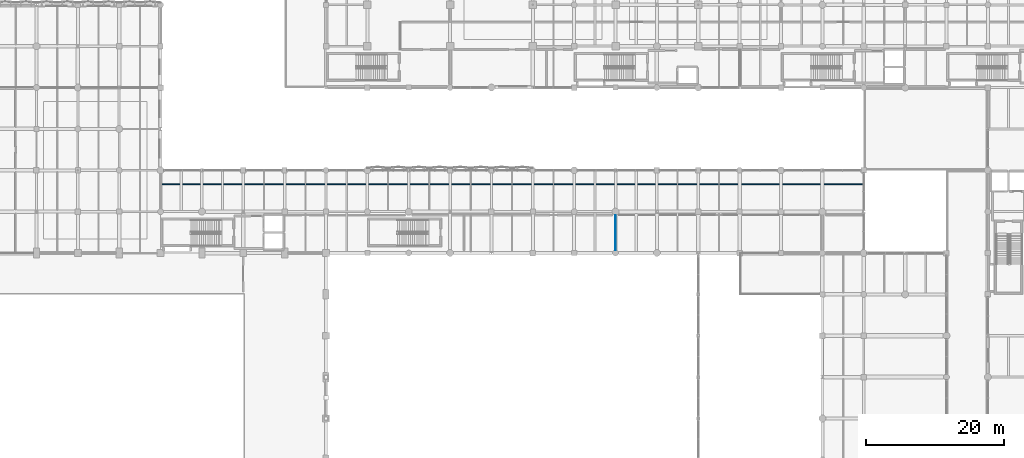
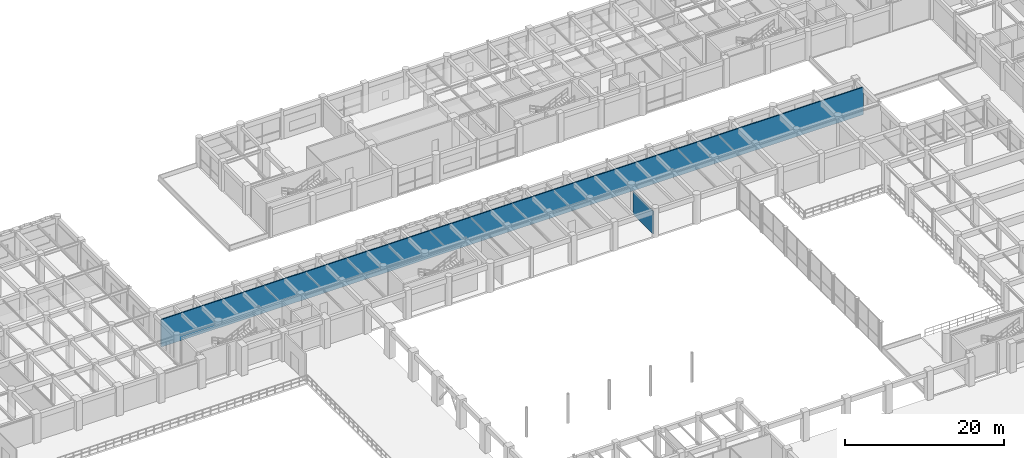
# One storey, part 102 of 133: 2 walls.
"""IFC4 building model written with IfcOpenShell, lengths in metres."""

from ifc_helpers import new_model, si_unit, direction, frame, frame_2d, origin, place, context, subcontext, project, spatial, rectangle, extrude, material, layer, layer_set, type_object, element, save


model = new_model("IFC4")

# Units and contexts
model_context = context("Model", 3, precision=1e-05, world=origin(), true_north=direction((0.0, 1.0)))
body_context = subcontext(model_context, "Body", "Model", "MODEL_VIEW")
ifc_project = project(units=[si_unit("LENGTHUNIT", "METRE"), si_unit("AREAUNIT", "SQUARE_METRE"), si_unit("VOLUMEUNIT", "CUBIC_METRE"), si_unit("PLANEANGLEUNIT", "RADIAN"), si_unit("MASSUNIT", "GRAM", prefix="KILO"), si_unit("THERMODYNAMICTEMPERATUREUNIT", "KELVIN"), si_unit("POWERUNIT", "WATT")], contexts=[model_context])

# Site, building, storey
site_placement = place(None, origin())
site = spatial("IfcSite", under=ifc_project, at=site_placement, CompositionType="ELEMENT")
building_placement = place(site_placement, origin())
building = spatial("IfcBuilding", under=site, at=building_placement, Name="Phaisarnlok Congress Hotel", CompositionType="ELEMENT")
storey_placement = place(building_placement, frame((0.0, 0.0, 6.0)))
storey = spatial("IfcBuildingStorey", under=building, at=storey_placement, Name="L01", CompositionType="ELEMENT", Elevation=6.0)

# Walls
ifc_material_1 = material(Name="Service Riser Shaftwall Partition", Category="gypsum")
ifc_layer_1 = layer(ifc_material_1, 0.10498046875, Name="Service Riser Shaftwall Partition")
ifc_layer_set_1 = layer_set([ifc_layer_1], Name="Service Riser Shaftwall Partition")
wall_type_1 = type_object("IfcWallType", Name="WL-INT-105", PredefinedType="PARTITIONING", material=ifc_layer_set_1)
wall_1_placement = place(storey_placement, frame((108.0, 84.429931640625, 0.0), z_axis=(0.0, 0.0, 1.0), x_axis=(0.0, 1.0, 0.0)))
element("IfcWall", 1, at=wall_1_placement, inside=storey, type_object=wall_type_1, Name="Interior partition wall IW-08 (L01)", PredefinedType="PARTITIONING", context=body_context, shape_type="SweptSolid", body=[
    extrude(rectangle(XDim=5.065185546875, YDim=0.10498046875, at=frame_2d((2.53271484375, 0.0))), origin(), (0.0, 0.0, 1.0), 3.52001953125),
])
ifc_material_2 = material(Name="Double-Stud Acoustic Gypsum Partition", Category="gypsum")
ifc_layer_2 = layer(ifc_material_2, 0.159912109375, Name="Double-Stud Acoustic Gypsum Partition")
ifc_layer_set_2 = layer_set([ifc_layer_2], Name="Double-Stud Acoustic Gypsum Partition")
wall_type_2 = type_object("IfcWallType", Name="WL-INT-160", PredefinedType="PARTITIONING", material=ifc_layer_set_2)
wall_2_placement = place(storey_placement, frame((42.0, 94.0, 0.0), z_axis=(0.0, 0.0, 1.0), x_axis=(1.0, 0.0, 0.0)))
element("IfcWall", 2, at=wall_2_placement, inside=storey, type_object=wall_type_2, Name="Interior partition wall IW-04 (L01)", PredefinedType="PARTITIONING", context=body_context, shape_type="SweptSolid", body=[
    extrude(rectangle(XDim=101.955078125, YDim=0.159912109375, at=frame_2d((50.9775390625, 0.0))), origin(), (0.0, 0.0, 1.0), 4.219970703125),
])

save(model, "model.ifc")
